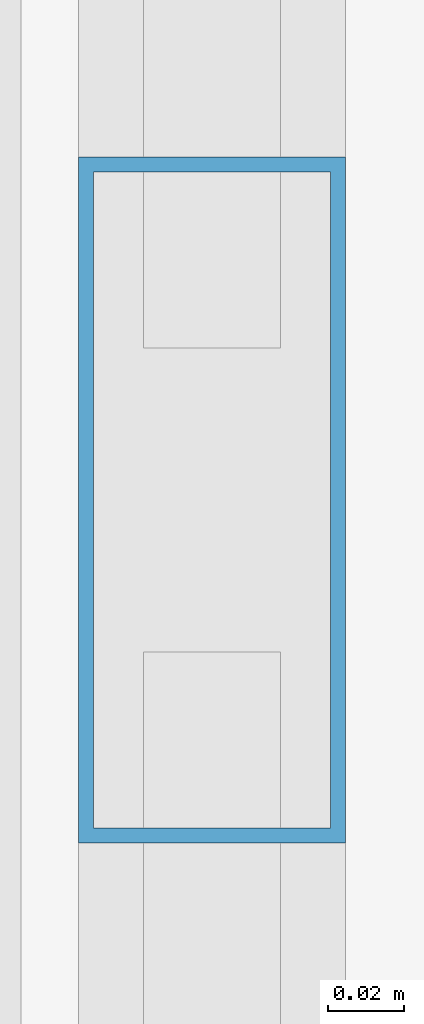
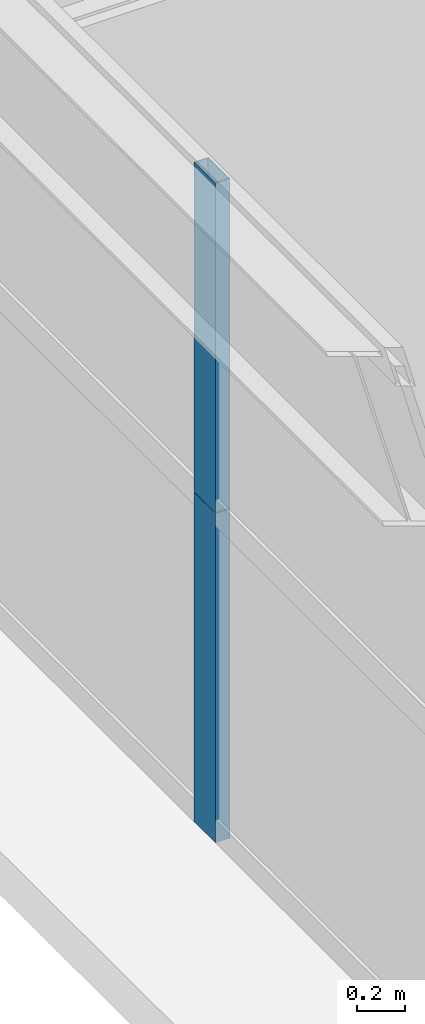
# One storey, part 10 of 43: 2 members, 1 element without a shape of its own.
"""IFC4 building model written with IfcOpenShell, lengths in metres."""

from ifc_helpers import new_model, si_unit, direction, frame, origin, origin_2d, place, context, subcontext, project, spatial, hollow_rectangle, extrude, source, transform, mapped, material, layer, layer_set, material_profile, profile_set, type_object, element, aggregate, save


model = new_model("IFC4")

# Units and contexts
model_context = context("Model", 3, precision=1e-05, world=origin(), true_north=direction((0.0, 1.0)))
body_context = subcontext(model_context, "Body", "Model", "MODEL_VIEW")
ifc_project = project(units=[si_unit("LENGTHUNIT", "METRE"), si_unit("AREAUNIT", "SQUARE_METRE"), si_unit("VOLUMEUNIT", "CUBIC_METRE"), si_unit("PLANEANGLEUNIT", "RADIAN"), si_unit("MASSUNIT", "GRAM", prefix="KILO"), si_unit("THERMODYNAMICTEMPERATUREUNIT", "KELVIN"), si_unit("POWERUNIT", "WATT")], contexts=[model_context])

# Site, building, storey
site_placement = place(None, origin())
site = spatial("IfcSite", under=ifc_project, at=site_placement, CompositionType="ELEMENT")
building_placement = place(site_placement, origin())
building = spatial("IfcBuilding", under=site, at=building_placement, Name="Yuzanri Waterfront Tower", CompositionType="ELEMENT")
storey_placement = place(building_placement, frame((0.0, 0.0, 159.60009765625)))
storey = spatial("IfcBuildingStorey", under=building, at=storey_placement, Name="L42", CompositionType="ELEMENT", Elevation=159.60009765625)

# Curtain wall, members
ifc_material_1 = material(Name="Anodized Architectural Bronze", Category="metal")
ifc_layer = layer(ifc_material_1, 0.159912109375)
ifc_layer_set = layer_set([ifc_layer], Name="Anodized Architectural Bronze")
curtain_wall_type = type_object("IfcCurtainWallType", Name="Anodized Bronze Hotel Upper-Tier Solar-Control Unitized Curtain Wall 7800", PredefinedType="NOTDEFINED", material=ifc_layer_set)
curtain_wall_placement = place(storey_placement, origin())
curtain_wall = element("IfcCurtainWall", 1, at=curtain_wall_placement, inside=storey, type_object=curtain_wall_type, Name="L42 Curtain Wall CW-L42-WL", PredefinedType="NOTDEFINED")
ifc_material_2 = material(Name="Anodized Architectural Bronze", Category="metal")
ifc_material_profile = material_profile(ifc_material_2, hollow_rectangle(XDim=0.070068359375, YDim=0.179931640625, WallThickness=0.00390625, at=origin_2d()), Name="CWM 70x180")
ifc_profile_set = profile_set([ifc_material_profile], Name="Anodized Architectural Bronze")
member_type = type_object("IfcMemberType", Name="Anodized Bronze Standard Curtain-Wall Mullion 70x180", PredefinedType="MULLION", material=ifc_profile_set)
shared_shape = source(origin(), body_context, "Body", "SweptSolid", [
    extrude(hollow_rectangle(XDim=0.070068359375, YDim=0.179931640625, WallThickness=0.00390625, at=origin_2d()), origin(), (0.0, 0.0, 1.0), 1.68798828125),
])
member_1_placement = place(storey_placement, frame((13.550048828125, 17.449951171875, 0.0), z_axis=(0.0, 0.0, 1.0), x_axis=(1.0, 0.0, 0.0)))
member_1 = element("IfcMember", 2, at=member_1_placement, type_object=member_type, Name="CW-L42-WL Lower Mullion 01", PredefinedType="MULLION", context=body_context, shape_type="MappedRepresentation", body=[
    mapped(shared_shape, transform((0.0, 0.0, 0.0), scale=1.0)),
])
member_2_placement = place(storey_placement, frame((13.550048828125, 17.449951171875, 1.69189453125), z_axis=(0.0, 0.0, 1.0), x_axis=(1.0, 0.0, 0.0)))
member_2 = element("IfcMember", 3, at=member_2_placement, type_object=member_type, Name="CW-L42-WL Upper Mullion 01", PredefinedType="MULLION", context=body_context, shape_type="MappedRepresentation", body=[
    mapped(shared_shape, transform((0.0, 0.0, 0.0), scale=1.0)),
])
aggregate(curtain_wall, [member_1, member_2])

save(model, "model.ifc")
